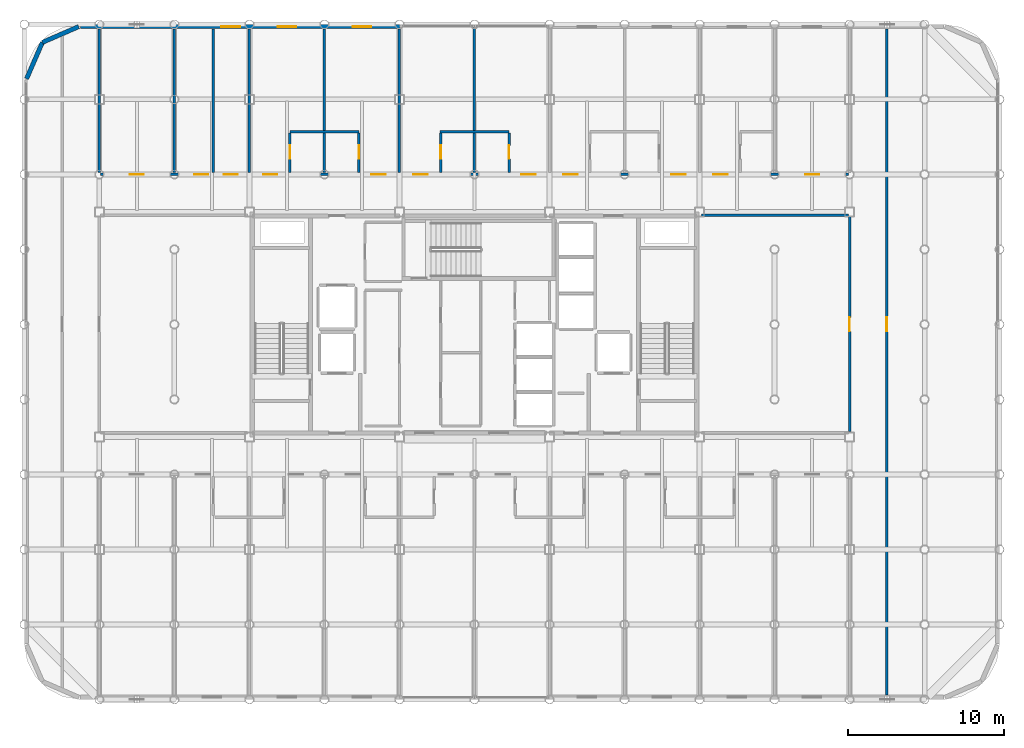
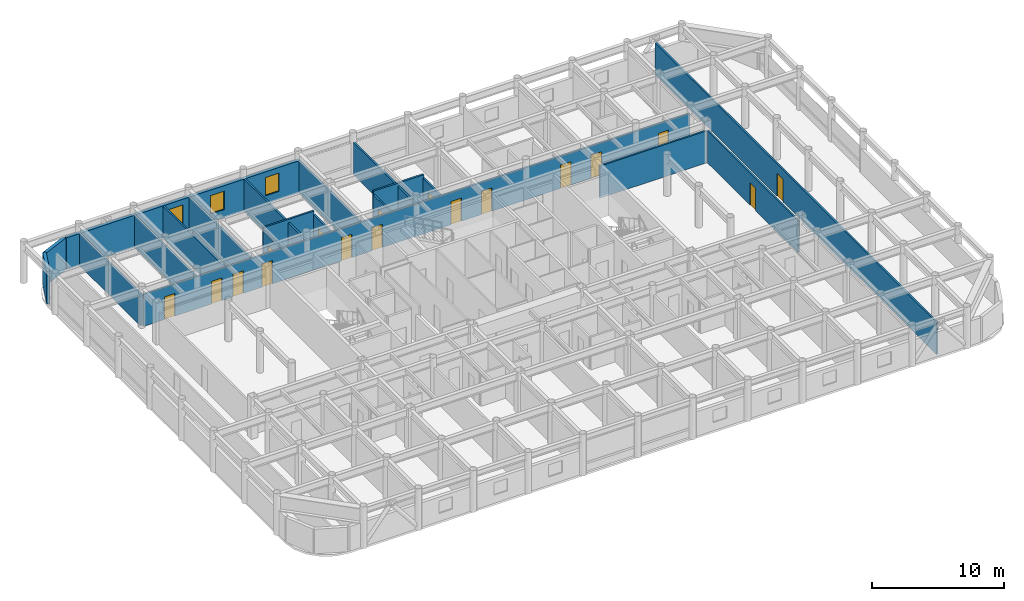
# One storey, part 20 of 22: 20 walls, 17 doors, 3 windows, 20 openings.
"""IFC4 building model written with IfcOpenShell, lengths in metres."""

from ifc_helpers import new_model, si_unit, direction, frame, frame_2d, origin, place, context, subcontext, project, spatial, rectangle, extrude, material, layer, layer_set, type_object, element, fill, save


model = new_model("IFC4")

# Units and contexts
model_context = context("Model", 3, precision=1e-05, world=origin(), true_north=direction((0.0, 1.0)))
body_context = subcontext(model_context, "Body", "Model", "MODEL_VIEW")
ifc_project = project(units=[si_unit("LENGTHUNIT", "METRE"), si_unit("AREAUNIT", "SQUARE_METRE"), si_unit("VOLUMEUNIT", "CUBIC_METRE"), si_unit("PLANEANGLEUNIT", "RADIAN"), si_unit("MASSUNIT", "GRAM", prefix="KILO")], contexts=[model_context])

# Site, building, storey
site_placement = place(None, origin())
site = spatial("IfcSite", under=ifc_project, at=site_placement, CompositionType="ELEMENT")
building_placement = place(site_placement, origin())
building = spatial("IfcBuilding", under=site, at=building_placement, Name="Kallvorn Hotel Tower", CompositionType="ELEMENT")
storey_placement = place(building_placement, frame((0.0, 0.0, 199.199951171875)))
storey = spatial("IfcBuildingStorey", under=building, at=storey_placement, Name="L49", CompositionType="ELEMENT", Elevation=199.199951171875)

# Wall, openings, doors
ifc_material_1 = material(Name="Fire-rated double-layer acoustic gypsum drywall EI 60")
ifc_layer_1 = layer(ifc_material_1, 0.159912109375)
ifc_layer_set_1 = layer_set([ifc_layer_1], Name="WL_DEMISE_160")
wall_type_1 = type_object("IfcWallType", Name="WL_DEMISE_160", PredefinedType="PARTITIONING", material=ifc_layer_set_1)
wall_1_placement = place(storey_placement, frame((-23.919921875, 9.60009765625, 0.0), z_axis=(0.0, 0.0, 1.0), x_axis=(1.0, 0.0, 0.0)))
wall_1 = element("IfcWall", 1, at=wall_1_placement, inside=storey, type_object=wall_type_1, Name="L49 Suite 4909 Standard Twin Room Partition", PredefinedType="PARTITIONING", context=body_context, shape_type="SweptSolid", body=[
    extrude(rectangle(XDim=47.83984375, YDim=0.159912109375, at=frame_2d((23.919921875, 0.0))), origin(), (0.0, 0.0, 1.0), 2.969970703125),
])
opening_1_placement = place(wall_1_placement, frame((1.8701171875, 0.0, 0.0)))
opening_1 = element("IfcOpeningElement", 2, at=opening_1_placement, cuts=wall_1, Name="Opening SVD1", PredefinedType="OPENING", context=body_context, shape_type="SweptSolid", body=[
    extrude(rectangle(XDim=0.89990234375, YDim=2.10009765625, at=frame_2d((0.449951171875, 1.050048828125))), frame((0.0, 0.094970703125, 0.0), z_axis=(0.0, -1.0, 0.0), x_axis=(1.0, 0.0, 0.0)), (0.0, 0.0, 1.0), 0.18994140625),
])
opening_2_placement = place(wall_1_placement, frame((45.070068359375, 0.0, 0.0)))
opening_2 = element("IfcOpeningElement", 3, at=opening_2_placement, cuts=wall_1, Name="Opening SVD1", PredefinedType="OPENING", context=body_context, shape_type="SweptSolid", body=[
    extrude(rectangle(XDim=0.89990234375, YDim=2.10009765625, at=frame_2d((0.449951171875, 1.050048828125))), frame((0.0, 0.094970703125, 0.0), z_axis=(0.0, -1.0, 0.0), x_axis=(1.0, 0.0, 0.0)), (0.0, 0.0, 1.0), 0.18994140625),
])
opening_3_placement = place(wall_1_placement, frame((5.97998046875, 0.0, 0.0)))
opening_3 = element("IfcOpeningElement", 4, at=opening_3_placement, cuts=wall_1, Name="Opening SVD1", PredefinedType="OPENING", context=body_context, shape_type="SweptSolid", body=[
    extrude(rectangle(XDim=0.89990234375, YDim=2.10009765625, at=frame_2d((0.449951171875, 1.050048828125))), frame((0.0, 0.094970703125, 0.0), z_axis=(0.0, -1.0, 0.0), x_axis=(1.0, 0.0, 0.0)), (0.0, 0.0, 1.0), 0.18994140625),
])
opening_4_placement = place(wall_1_placement, frame((7.8701171875, 0.0, 0.0)))
opening_4 = element("IfcOpeningElement", 5, at=opening_4_placement, cuts=wall_1, Name="Opening SVD1", PredefinedType="OPENING", context=body_context, shape_type="SweptSolid", body=[
    extrude(rectangle(XDim=0.89990234375, YDim=2.10009765625, at=frame_2d((0.449951171875, 1.050048828125))), frame((0.0, 0.094970703125, 0.0), z_axis=(0.0, -1.0, 0.0), x_axis=(1.0, 0.0, 0.0)), (0.0, 0.0, 1.0), 0.18994140625),
])
opening_5_placement = place(wall_1_placement, frame((10.39501953125, 0.0, 0.0)))
opening_5 = element("IfcOpeningElement", 6, at=opening_5_placement, cuts=wall_1, Name="Opening GD1", PredefinedType="OPENING", context=body_context, shape_type="SweptSolid", body=[
    extrude(rectangle(XDim=0.919921875, YDim=2.14990234375, at=frame_2d((0.4599609375, 1.074951171875))), frame((0.0, 0.094970703125, 0.0), z_axis=(0.0, -1.0, 0.0), x_axis=(1.0, 0.0, 0.0)), (0.0, 0.0, 1.0), 0.18994140625),
])
opening_6_placement = place(wall_1_placement, frame((17.324951171875, 0.0, 0.0)))
opening_6 = element("IfcOpeningElement", 7, at=opening_6_placement, cuts=wall_1, Name="Opening GD1", PredefinedType="OPENING", context=body_context, shape_type="SweptSolid", body=[
    extrude(rectangle(XDim=0.919921875, YDim=2.14990234375, at=frame_2d((0.4599609375, 1.074951171875))), frame((0.0, 0.094970703125, 0.0), z_axis=(0.0, -1.0, 0.0), x_axis=(1.0, 0.0, 0.0)), (0.0, 0.0, 1.0), 0.18994140625),
])
opening_7_placement = place(wall_1_placement, frame((19.9951171875, 0.0, 0.0)))
opening_7 = element("IfcOpeningElement", 8, at=opening_7_placement, cuts=wall_1, Name="Opening GD1", PredefinedType="OPENING", context=body_context, shape_type="SweptSolid", body=[
    extrude(rectangle(XDim=0.919921875, YDim=2.14990234375, at=frame_2d((0.4599609375, 1.074951171875))), frame((0.0, 0.094970703125, 0.0), z_axis=(0.0, -1.0, 0.0), x_axis=(1.0, 0.0, 0.0)), (0.0, 0.0, 1.0), 0.18994140625),
])
opening_8_placement = place(wall_1_placement, frame((26.925048828125, 0.0, 0.0)))
opening_8 = element("IfcOpeningElement", 9, at=opening_8_placement, cuts=wall_1, Name="Opening GD1", PredefinedType="OPENING", context=body_context, shape_type="SweptSolid", body=[
    extrude(rectangle(XDim=0.919921875, YDim=2.14990234375, at=frame_2d((0.4599609375, 1.074951171875))), frame((0.0, 0.094970703125, 0.0), z_axis=(0.0, -1.0, 0.0), x_axis=(1.0, 0.0, 0.0)), (0.0, 0.0, 1.0), 0.18994140625),
])
opening_9_placement = place(wall_1_placement, frame((29.594970703125, 0.0, 0.0)))
opening_9 = element("IfcOpeningElement", 10, at=opening_9_placement, cuts=wall_1, Name="Opening GD1", PredefinedType="OPENING", context=body_context, shape_type="SweptSolid", body=[
    extrude(rectangle(XDim=0.919921875, YDim=2.14990234375, at=frame_2d((0.4599609375, 1.074951171875))), frame((0.0, 0.094970703125, 0.0), z_axis=(0.0, -1.0, 0.0), x_axis=(1.0, 0.0, 0.0)), (0.0, 0.0, 1.0), 0.18994140625),
])
opening_10_placement = place(wall_1_placement, frame((36.52490234375, 0.0, 0.0)))
opening_10 = element("IfcOpeningElement", 11, at=opening_10_placement, cuts=wall_1, Name="Opening GD1", PredefinedType="OPENING", context=body_context, shape_type="SweptSolid", body=[
    extrude(rectangle(XDim=0.919921875, YDim=2.14990234375, at=frame_2d((0.4599609375, 1.074951171875))), frame((0.0, 0.094970703125, 0.0), z_axis=(0.0, -1.0, 0.0), x_axis=(1.0, 0.0, 0.0)), (0.0, 0.0, 1.0), 0.18994140625),
])
opening_11_placement = place(wall_1_placement, frame((39.195068359375, 0.0, 0.0)))
opening_11 = element("IfcOpeningElement", 12, at=opening_11_placement, cuts=wall_1, Name="Opening GD1", PredefinedType="OPENING", context=body_context, shape_type="SweptSolid", body=[
    extrude(rectangle(XDim=0.919921875, YDim=2.14990234375, at=frame_2d((0.4599609375, 1.074951171875))), frame((0.0, 0.094970703125, 0.0), z_axis=(0.0, -1.0, 0.0), x_axis=(1.0, 0.0, 0.0)), (0.0, 0.0, 1.0), 0.18994140625),
])
ifc_material_2 = material(Name="Solid-core walnut veneer fire-rated timber door leaf", Category="wood")
door_type_1 = type_object("IfcDoorType", Name="DR_GUEST_920x2150", OperationType="NOTDEFINED", PredefinedType="DOOR", material=ifc_material_2)
door_1_placement = place(opening_5_placement, origin())
door_1 = element("IfcDoor", 13, at=door_1_placement, inside=storey, type_object=door_type_1, Name="L49 Suite 4909 Standard Twin Room Door", OperationType="SINGLE_SWING_LEFT", OverallHeight=2.14990234375, OverallWidth=0.919921875, PredefinedType="DOOR", context=body_context, shape_type="SweptSolid", body=[
    extrude(rectangle(XDim=0.919921875, YDim=2.14990234375, at=frame_2d((0.4599609375, 1.074951171875))), frame((0.0, 0.02490234375, 0.0), z_axis=(0.0, -1.0, 0.0), x_axis=(1.0, 0.0, 0.0)), (0.0, 0.0, 1.0), 0.050048828125),
])
fill(opening_5, door_1)
door_2_placement = place(opening_6_placement, origin())
door_2 = element("IfcDoor", 14, at=door_2_placement, inside=storey, type_object=door_type_1, Name="L49 Suite 4910 Standard Twin Room Door", OperationType="SINGLE_SWING_LEFT", OverallHeight=2.14990234375, OverallWidth=0.919921875, PredefinedType="DOOR", context=body_context, shape_type="SweptSolid", body=[
    extrude(rectangle(XDim=0.919921875, YDim=2.14990234375, at=frame_2d((0.4599609375, 1.074951171875))), frame((0.0, 0.02490234375, 0.0), z_axis=(0.0, -1.0, 0.0), x_axis=(1.0, 0.0, 0.0)), (0.0, 0.0, 1.0), 0.050048828125),
])
fill(opening_6, door_2)
door_3_placement = place(opening_7_placement, origin())
door_3 = element("IfcDoor", 15, at=door_3_placement, inside=storey, type_object=door_type_1, Name="L49 Suite 4911 Standard Twin Room Door", OperationType="SINGLE_SWING_RIGHT", OverallHeight=2.14990234375, OverallWidth=0.919921875, PredefinedType="DOOR", context=body_context, shape_type="SweptSolid", body=[
    extrude(rectangle(XDim=0.919921875, YDim=2.14990234375, at=frame_2d((0.4599609375, 1.074951171875))), frame((0.0, 0.02490234375, 0.0), z_axis=(0.0, -1.0, 0.0), x_axis=(1.0, 0.0, 0.0)), (0.0, 0.0, 1.0), 0.050048828125),
])
fill(opening_7, door_3)
door_4_placement = place(opening_8_placement, origin())
door_4 = element("IfcDoor", 16, at=door_4_placement, inside=storey, type_object=door_type_1, Name="L49 Suite 4912 Standard Twin Room Door", OperationType="SINGLE_SWING_LEFT", OverallHeight=2.14990234375, OverallWidth=0.919921875, PredefinedType="DOOR", context=body_context, shape_type="SweptSolid", body=[
    extrude(rectangle(XDim=0.919921875, YDim=2.14990234375, at=frame_2d((0.4599609375, 1.074951171875))), frame((0.0, 0.02490234375, 0.0), z_axis=(0.0, -1.0, 0.0), x_axis=(1.0, 0.0, 0.0)), (0.0, 0.0, 1.0), 0.050048828125),
])
fill(opening_8, door_4)
door_5_placement = place(opening_9_placement, origin())
door_5 = element("IfcDoor", 17, at=door_5_placement, inside=storey, type_object=door_type_1, Name="L49 Suite 4913 Standard Twin Room Door", OperationType="SINGLE_SWING_RIGHT", OverallHeight=2.14990234375, OverallWidth=0.919921875, PredefinedType="DOOR", context=body_context, shape_type="SweptSolid", body=[
    extrude(rectangle(XDim=0.919921875, YDim=2.14990234375, at=frame_2d((0.4599609375, 1.074951171875))), frame((0.0, 0.02490234375, 0.0), z_axis=(0.0, -1.0, 0.0), x_axis=(1.0, 0.0, 0.0)), (0.0, 0.0, 1.0), 0.050048828125),
])
fill(opening_9, door_5)
door_6_placement = place(opening_10_placement, origin())
door_6 = element("IfcDoor", 18, at=door_6_placement, inside=storey, type_object=door_type_1, Name="L49 Suite 4914 Standard Twin Room Door", OperationType="SINGLE_SWING_LEFT", OverallHeight=2.14990234375, OverallWidth=0.919921875, PredefinedType="DOOR", context=body_context, shape_type="SweptSolid", body=[
    extrude(rectangle(XDim=0.919921875, YDim=2.14990234375, at=frame_2d((0.4599609375, 1.074951171875))), frame((0.0, 0.02490234375, 0.0), z_axis=(0.0, -1.0, 0.0), x_axis=(1.0, 0.0, 0.0)), (0.0, 0.0, 1.0), 0.050048828125),
])
fill(opening_10, door_6)
door_7_placement = place(opening_11_placement, origin())
door_7 = element("IfcDoor", 19, at=door_7_placement, inside=storey, type_object=door_type_1, Name="L49 Suite 4915 Standard Twin Room Door", OperationType="SINGLE_SWING_RIGHT", OverallHeight=2.14990234375, OverallWidth=0.919921875, PredefinedType="DOOR", context=body_context, shape_type="SweptSolid", body=[
    extrude(rectangle(XDim=0.919921875, YDim=2.14990234375, at=frame_2d((0.4599609375, 1.074951171875))), frame((0.0, 0.02490234375, 0.0), z_axis=(0.0, -1.0, 0.0), x_axis=(1.0, 0.0, 0.0)), (0.0, 0.0, 1.0), 0.050048828125),
])
fill(opening_11, door_7)
ifc_material_3 = material(Name="Galvanised painted steel fire-rated door assembly", Category="steel")
door_type_2 = type_object("IfcDoorType", Name="DR_SERV_900x2100", OperationType="NOTDEFINED", PredefinedType="DOOR", material=ifc_material_3)
door_8_placement = place(opening_1_placement, origin())
door_8 = element("IfcDoor", 20, at=door_8_placement, inside=storey, type_object=door_type_2, Name="L49 L49 High-Zone North-West Reading Salon Door", OperationType="SINGLE_SWING_LEFT", OverallHeight=2.10009765625, OverallWidth=0.89990234375, PredefinedType="DOOR", context=body_context, shape_type="SweptSolid", body=[
    extrude(rectangle(XDim=0.89990234375, YDim=2.10009765625, at=frame_2d((0.449951171875, 1.050048828125))), frame((0.0, 0.02490234375, 0.0), z_axis=(0.0, -1.0, 0.0), x_axis=(1.0, 0.0, 0.0)), (0.0, 0.0, 1.0), 0.050048828125),
])
fill(opening_1, door_8)
door_9_placement = place(opening_2_placement, origin())
door_9 = element("IfcDoor", 21, at=door_9_placement, inside=storey, type_object=door_type_2, Name="L49 L49 High-Zone North-East Pastry Bar Door", OperationType="SINGLE_SWING_LEFT", OverallHeight=2.10009765625, OverallWidth=0.89990234375, PredefinedType="DOOR", context=body_context, shape_type="SweptSolid", body=[
    extrude(rectangle(XDim=0.89990234375, YDim=2.10009765625, at=frame_2d((0.449951171875, 1.050048828125))), frame((0.0, 0.02490234375, 0.0), z_axis=(0.0, -1.0, 0.0), x_axis=(1.0, 0.0, 0.0)), (0.0, 0.0, 1.0), 0.050048828125),
])
fill(opening_2, door_9)
door_10_placement = place(opening_3_placement, origin())
door_10 = element("IfcDoor", 22, at=door_10_placement, inside=storey, type_object=door_type_2, Name="L49 Housekeeping and Linen Room Door", OperationType="SINGLE_SWING_LEFT", OverallHeight=2.10009765625, OverallWidth=0.89990234375, PredefinedType="DOOR", context=body_context, shape_type="SweptSolid", body=[
    extrude(rectangle(XDim=0.89990234375, YDim=2.10009765625, at=frame_2d((0.449951171875, 1.050048828125))), frame((0.0, 0.02490234375, 0.0), z_axis=(0.0, -1.0, 0.0), x_axis=(1.0, 0.0, 0.0)), (0.0, 0.0, 1.0), 0.050048828125),
])
fill(opening_3, door_10)
door_11_placement = place(opening_4_placement, origin())
door_11 = element("IfcDoor", 23, at=door_11_placement, inside=storey, type_object=door_type_2, Name="L49 Guest Tea and Refreshment Bar Door", OperationType="SINGLE_SWING_LEFT", OverallHeight=2.10009765625, OverallWidth=0.89990234375, PredefinedType="DOOR", context=body_context, shape_type="SweptSolid", body=[
    extrude(rectangle(XDim=0.89990234375, YDim=2.10009765625, at=frame_2d((0.449951171875, 1.050048828125))), frame((0.0, 0.02490234375, 0.0), z_axis=(0.0, -1.0, 0.0), x_axis=(1.0, 0.0, 0.0)), (0.0, 0.0, 1.0), 0.050048828125),
])
fill(opening_4, door_11)

# Walls
wall_2_placement = place(storey_placement, frame((-11.81005859375, 12.320068359375, 0.0), z_axis=(0.0, 0.0, 1.0), x_axis=(1.0, 0.0, 0.0)))
element("IfcWall", 24, at=wall_2_placement, inside=storey, type_object=wall_type_1, Name="L49 Suite 4909 Standard Twin Room Partition", PredefinedType="PARTITIONING", context=body_context, shape_type="SweptSolid", body=[
    extrude(rectangle(XDim=4.420166015625, YDim=0.159912109375, at=frame_2d((2.2099609375, 0.0))), origin(), (0.0, 0.0, 1.0), 3.27001953125),
])
wall_3_placement = place(storey_placement, frame((-2.2099609375, 12.320068359375, 0.0), z_axis=(0.0, 0.0, 1.0), x_axis=(1.0, 0.0, 0.0)))
element("IfcWall", 25, at=wall_3_placement, inside=storey, type_object=wall_type_1, Name="L49 Suite 4911 Standard Twin Room Partition", PredefinedType="PARTITIONING", context=body_context, shape_type="SweptSolid", body=[
    extrude(rectangle(XDim=4.419921875, YDim=0.159912109375, at=frame_2d((2.2099609375, 0.0))), origin(), (0.0, 0.0, 1.0), 3.27001953125),
])
wall_4_placement = place(storey_placement, frame((-14.39990234375, 9.719970703125, 0.0), z_axis=(0.0, 0.0, 1.0), x_axis=(0.0, 1.0, 0.0)))
element("IfcWall", 26, at=wall_4_placement, inside=storey, type_object=wall_type_1, Name="L49 Suite 4909 Standard Twin Room Partition", PredefinedType="PARTITIONING", context=body_context, shape_type="SweptSolid", body=[
    extrude(rectangle(XDim=9.18994140625, YDim=0.159912109375, at=frame_2d((4.594970703125, 0.0))), origin(), (0.0, 0.0, 1.0), 2.969970703125),
])

# Wall, opening, door
wall_5_placement = place(storey_placement, frame((-11.81005859375, 9.719970703125, 0.0), z_axis=(0.0, 0.0, 1.0), x_axis=(0.0, 1.0, 0.0)))
wall_5 = element("IfcWall", 27, at=wall_5_placement, inside=storey, type_object=wall_type_1, Name="L49 Suite 4909 Standard Twin Room Partition", PredefinedType="PARTITIONING", context=body_context, shape_type="SweptSolid", body=[
    extrude(rectangle(XDim=2.51513671875, YDim=0.159912109375, at=frame_2d((1.257568359375, 0.0))), origin(), (0.0, 0.0, 1.0), 2.969970703125),
])
opening_12_placement = place(wall_5_placement, frame((0.8701171875, 0.0, 0.0)))
opening_12 = element("IfcOpeningElement", 28, at=opening_12_placement, cuts=wall_5, Name="Opening BD-I", PredefinedType="OPENING", context=body_context, shape_type="SweptSolid", body=[
    extrude(rectangle(XDim=0.860107421875, YDim=2.10009765625, at=frame_2d((0.43017578125, 1.050048828125))), frame((0.0, 0.094970703125, 0.0), z_axis=(0.0, -1.0, 0.0), x_axis=(1.0, 0.0, 0.0)), (0.0, 0.0, 1.0), 0.18994140625),
])
ifc_material_4 = material(Name="Solid-core walnut veneer fire-rated timber door leaf", Category="wood")
door_type_3 = type_object("IfcDoorType", Name="DR_BATH_860x2100", OperationType="NOTDEFINED", PredefinedType="DOOR", material=ifc_material_4)
door_12_placement = place(opening_12_placement, origin())
door_12 = element("IfcDoor", 29, at=door_12_placement, inside=storey, type_object=door_type_3, Name="L49 Suite 4909 En-Suite Bathroom Door", OperationType="SINGLE_SWING_RIGHT", OverallHeight=2.10009765625, OverallWidth=0.860107421875, PredefinedType="DOOR", context=body_context, shape_type="SweptSolid", body=[
    extrude(rectangle(XDim=0.860107421875, YDim=2.10009765625, at=frame_2d((0.43017578125, 1.050048828125))), frame((0.0, 0.02490234375, 0.0), z_axis=(0.0, -1.0, 0.0), x_axis=(1.0, 0.0, 0.0)), (0.0, 0.0, 1.0), 0.050048828125),
])
fill(opening_12, door_12)

# Wall
wall_6_placement = place(storey_placement, frame((-9.60009765625, 9.719970703125, 0.0), z_axis=(0.0, 0.0, 1.0), x_axis=(0.0, 1.0, 0.0)))
element("IfcWall", 30, at=wall_6_placement, inside=storey, type_object=wall_type_1, Name="L49 Suite 4909 Standard Twin Room Partition", PredefinedType="PARTITIONING", context=body_context, shape_type="SweptSolid", body=[
    extrude(rectangle(XDim=9.18994140625, YDim=0.159912109375, at=frame_2d((4.594970703125, 0.0))), origin(), (0.0, 0.0, 1.0), 2.969970703125),
])

# Wall, opening, door
wall_7_placement = place(storey_placement, frame((-7.389892578125, 9.719970703125, 0.0), z_axis=(0.0, 0.0, 1.0), x_axis=(0.0, 1.0, 0.0)))
wall_7 = element("IfcWall", 31, at=wall_7_placement, inside=storey, type_object=wall_type_1, Name="L49 Suite 4910 Standard Twin Room Partition", PredefinedType="PARTITIONING", context=body_context, shape_type="SweptSolid", body=[
    extrude(rectangle(XDim=2.51513671875, YDim=0.159912109375, at=frame_2d((1.257568359375, 0.0))), origin(), (0.0, 0.0, 1.0), 2.969970703125),
])
opening_13_placement = place(wall_7_placement, frame((0.8701171875, 0.0, 0.0)))
opening_13 = element("IfcOpeningElement", 32, at=opening_13_placement, cuts=wall_7, Name="Opening BD-I", PredefinedType="OPENING", context=body_context, shape_type="SweptSolid", body=[
    extrude(rectangle(XDim=0.860107421875, YDim=2.10009765625, at=frame_2d((0.43017578125, 1.050048828125))), frame((0.0, 0.094970703125, 0.0), z_axis=(0.0, -1.0, 0.0), x_axis=(1.0, 0.0, 0.0)), (0.0, 0.0, 1.0), 0.18994140625),
])
door_13_placement = place(opening_13_placement, origin())
door_13 = element("IfcDoor", 33, at=door_13_placement, inside=storey, type_object=door_type_3, Name="L49 Suite 4910 En-Suite Bathroom Door", OperationType="SINGLE_SWING_LEFT", OverallHeight=2.10009765625, OverallWidth=0.860107421875, PredefinedType="DOOR", context=body_context, shape_type="SweptSolid", body=[
    extrude(rectangle(XDim=0.860107421875, YDim=2.10009765625, at=frame_2d((0.43017578125, 1.050048828125))), frame((0.0, 0.02490234375, 0.0), z_axis=(0.0, -1.0, 0.0), x_axis=(1.0, 0.0, 0.0)), (0.0, 0.0, 1.0), 0.050048828125),
])
fill(opening_13, door_13)

# Wall
wall_8_placement = place(storey_placement, frame((-4.800048828125, 9.719970703125, 0.0), z_axis=(0.0, 0.0, 1.0), x_axis=(0.0, 1.0, 0.0)))
element("IfcWall", 34, at=wall_8_placement, inside=storey, type_object=wall_type_1, Name="L49 Suite 4910 Standard Twin Room Partition", PredefinedType="PARTITIONING", context=body_context, shape_type="SweptSolid", body=[
    extrude(rectangle(XDim=9.18994140625, YDim=0.159912109375, at=frame_2d((4.594970703125, 0.0))), origin(), (0.0, 0.0, 1.0), 2.969970703125),
])

# Wall, opening, door
wall_9_placement = place(storey_placement, frame((-2.155029296875, 9.719970703125, 0.0), z_axis=(0.0, 0.0, 1.0), x_axis=(0.0, 1.0, 0.0)))
wall_9 = element("IfcWall", 35, at=wall_9_placement, inside=storey, type_object=wall_type_1, Name="L49 Suite 4911 Standard Twin Room Partition", PredefinedType="PARTITIONING", context=body_context, shape_type="SweptSolid", body=[
    extrude(rectangle(XDim=2.51513671875, YDim=0.159912109375, at=frame_2d((1.257568359375, 0.0))), origin(), (0.0, 0.0, 1.0), 2.969970703125),
])
opening_14_placement = place(wall_9_placement, frame((0.8701171875, 0.0, 0.0)))
opening_14 = element("IfcOpeningElement", 36, at=opening_14_placement, cuts=wall_9, Name="Opening BD-I", PredefinedType="OPENING", context=body_context, shape_type="SweptSolid", body=[
    extrude(rectangle(XDim=0.860107421875, YDim=2.10009765625, at=frame_2d((0.43017578125, 1.050048828125))), frame((0.0, 0.094970703125, 0.0), z_axis=(0.0, -1.0, 0.0), x_axis=(1.0, 0.0, 0.0)), (0.0, 0.0, 1.0), 0.18994140625),
])
door_14_placement = place(opening_14_placement, origin())
door_14 = element("IfcDoor", 37, at=door_14_placement, inside=storey, type_object=door_type_3, Name="L49 Suite 4911 En-Suite Bathroom Door", OperationType="SINGLE_SWING_RIGHT", OverallHeight=2.10009765625, OverallWidth=0.860107421875, PredefinedType="DOOR", context=body_context, shape_type="SweptSolid", body=[
    extrude(rectangle(XDim=0.860107421875, YDim=2.10009765625, at=frame_2d((0.43017578125, 1.050048828125))), frame((0.0, 0.02490234375, 0.0), z_axis=(0.0, -1.0, 0.0), x_axis=(1.0, 0.0, 0.0)), (0.0, 0.0, 1.0), 0.050048828125),
])
fill(opening_14, door_14)

# Wall
wall_10_placement = place(storey_placement, frame((0.0, 9.719970703125, 0.0), z_axis=(0.0, 0.0, 1.0), x_axis=(0.0, 1.0, 0.0)))
element("IfcWall", 38, at=wall_10_placement, inside=storey, type_object=wall_type_1, Name="L49 Suite 4911 Standard Twin Room Partition", PredefinedType="PARTITIONING", context=body_context, shape_type="SweptSolid", body=[
    extrude(rectangle(XDim=9.275146484375, YDim=0.159912109375, at=frame_2d((4.6376953125, 0.0))), origin(), (0.0, 0.0, 1.0), 2.969970703125),
])

# Wall, opening, door
wall_11_placement = place(storey_placement, frame((2.2099609375, 9.719970703125, 0.0), z_axis=(0.0, 0.0, 1.0), x_axis=(0.0, 1.0, 0.0)))
wall_11 = element("IfcWall", 39, at=wall_11_placement, inside=storey, type_object=wall_type_1, Name="L49 Suite 4912 Standard Twin Room Partition", PredefinedType="PARTITIONING", context=body_context, shape_type="SweptSolid", body=[
    extrude(rectangle(XDim=2.51513671875, YDim=0.159912109375, at=frame_2d((1.257568359375, 0.0))), origin(), (0.0, 0.0, 1.0), 2.969970703125),
])
opening_15_placement = place(wall_11_placement, frame((0.8701171875, 0.0, 0.0)))
opening_15 = element("IfcOpeningElement", 40, at=opening_15_placement, cuts=wall_11, Name="Opening BD-I", PredefinedType="OPENING", context=body_context, shape_type="SweptSolid", body=[
    extrude(rectangle(XDim=0.860107421875, YDim=2.10009765625, at=frame_2d((0.43017578125, 1.050048828125))), frame((0.0, 0.094970703125, 0.0), z_axis=(0.0, -1.0, 0.0), x_axis=(1.0, 0.0, 0.0)), (0.0, 0.0, 1.0), 0.18994140625),
])
door_15_placement = place(opening_15_placement, origin())
door_15 = element("IfcDoor", 41, at=door_15_placement, inside=storey, type_object=door_type_3, Name="L49 Suite 4912 En-Suite Bathroom Door", OperationType="SINGLE_SWING_LEFT", OverallHeight=2.10009765625, OverallWidth=0.860107421875, PredefinedType="DOOR", context=body_context, shape_type="SweptSolid", body=[
    extrude(rectangle(XDim=0.860107421875, YDim=2.10009765625, at=frame_2d((0.43017578125, 1.050048828125))), frame((0.0, 0.02490234375, 0.0), z_axis=(0.0, -1.0, 0.0), x_axis=(1.0, 0.0, 0.0)), (0.0, 0.0, 1.0), 0.050048828125),
])
fill(opening_15, door_15)

# Walls
ifc_material_5 = material(Name="Precast basalt-clad insulated concrete wall C40/50", Category="masonry")
ifc_layer_2 = layer(ifc_material_5, 0.280029296875)
ifc_layer_set_2 = layer_set([ifc_layer_2], Name="WL_EXT_LOGGIA_280")
wall_type_2 = type_object("IfcWallType", Name="WL_EXT_LOGGIA_280", PredefinedType="SOLIDWALL", material=ifc_layer_set_2)
wall_12_placement = place(storey_placement, frame((-25.32080078125, 19.057861328125, 0.0), z_axis=(0.0, 0.0, 1.0), x_axis=(-0.917060872934, -0.398747232384, 0.0)))
element("IfcWall", 42, at=wall_12_placement, inside=storey, type_object=wall_type_2, Name="L49 Rounded Corner Exterior Wall NW1", PredefinedType="SOLIDWALL", context=body_context, shape_type="SweptSolid", body=[
    extrude(rectangle(XDim=2.5361328125, YDim=0.280029296875, at=frame_2d((1.26806640625, 0.0))), origin(), (0.0, 0.0, 1.0), 2.969970703125),
])
wall_13_placement = place(storey_placement, frame((-27.646484375, 18.046630859375, 0.0), z_axis=(0.0, 0.0, 1.0), x_axis=(-0.398792985289, -0.917040977756, 0.0)))
element("IfcWall", 43, at=wall_13_placement, inside=storey, type_object=wall_type_2, Name="L49 Rounded Corner Exterior Wall NW2", PredefinedType="SOLIDWALL", context=body_context, shape_type="SweptSolid", body=[
    extrude(rectangle(XDim=2.536376953125, YDim=0.280029296875, at=frame_2d((1.26806640625, 0.0))), origin(), (0.0, 0.0, 1.0), 3.02001953125),
])

# Wall, openings, windows
wall_14_placement = place(storey_placement, frame((-25.199951171875, 19.06005859375, 0.0), z_axis=(0.0, 0.0, 1.0), x_axis=(1.0, 0.0, 0.0)))
wall_14 = element("IfcWall", 44, at=wall_14_placement, inside=storey, type_object=wall_type_2, Name="L49 Exterior Envelope Wall EW-L49-NW", PredefinedType="SOLIDWALL", context=body_context, shape_type="SweptSolid", body=[
    extrude(rectangle(XDim=20.449951171875, YDim=0.280029296875, at=frame_2d((10.22509765625, 0.0))), origin(), (0.0, 0.0, 1.0), 2.969970703125),
])
opening_16_placement = place(wall_14_placement, frame((9.0, 0.0, 0.75)))
opening_16 = element("IfcOpeningElement", 45, at=opening_16_placement, cuts=wall_14, Name="Opening W06", PredefinedType="OPENING", context=body_context, shape_type="SweptSolid", body=[
    extrude(rectangle(XDim=1.199951171875, YDim=1.699951171875, at=frame_2d((0.60009765625, 0.85009765625))), frame((0.0, 0.155029296875, 0.0), z_axis=(0.0, -1.0, 0.0), x_axis=(1.0, 0.0, 0.0)), (0.0, 0.0, 1.0), 0.31005859375),
])
opening_17_placement = place(wall_14_placement, frame((12.60009765625, 0.0, 0.75)))
opening_17 = element("IfcOpeningElement", 46, at=opening_17_placement, cuts=wall_14, Name="Opening W06", PredefinedType="OPENING", context=body_context, shape_type="SweptSolid", body=[
    extrude(rectangle(XDim=1.199951171875, YDim=1.699951171875, at=frame_2d((0.60009765625, 0.85009765625))), frame((0.0, 0.155029296875, 0.0), z_axis=(0.0, -1.0, 0.0), x_axis=(1.0, 0.0, 0.0)), (0.0, 0.0, 1.0), 0.31005859375),
])
opening_18_placement = place(wall_14_placement, frame((17.39990234375, 0.0, 0.75)))
opening_18 = element("IfcOpeningElement", 47, at=opening_18_placement, cuts=wall_14, Name="Opening W06", PredefinedType="OPENING", context=body_context, shape_type="SweptSolid", body=[
    extrude(rectangle(XDim=1.199951171875, YDim=1.699951171875, at=frame_2d((0.60009765625, 0.85009765625))), frame((0.0, 0.155029296875, 0.0), z_axis=(0.0, -1.0, 0.0), x_axis=(1.0, 0.0, 0.0)), (0.0, 0.0, 1.0), 0.31005859375),
])
ifc_material_6 = material(Name="Triple-glazed low-e acoustic solar-control dark glass", Category="glass")
window_type = type_object("IfcWindowType", Name="WN_HTL_1200x1700", PartitioningType="SINGLE_PANEL", PredefinedType="WINDOW", material=ifc_material_6)
window_1_placement = place(opening_16_placement, origin())
window_1 = element("IfcWindow", 48, at=window_1_placement, inside=storey, type_object=window_type, Name="L49 Guestroom Exterior Window 09", OverallHeight=1.699951171875, OverallWidth=1.199951171875, PartitioningType="SINGLE_PANEL", PredefinedType="WINDOW", context=body_context, shape_type="SweptSolid", body=[
    extrude(rectangle(XDim=1.199951171875, YDim=1.699951171875, at=frame_2d((0.60009765625, 0.85009765625))), frame((0.0, 0.030029296875, 0.0), z_axis=(0.0, -1.0, 0.0), x_axis=(1.0, 0.0, 0.0)), (0.0, 0.0, 1.0), 0.06005859375),
])
fill(opening_16, window_1)
window_2_placement = place(opening_17_placement, origin())
window_2 = element("IfcWindow", 49, at=window_2_placement, inside=storey, type_object=window_type, Name="L49 Guestroom Exterior Window 10", OverallHeight=1.699951171875, OverallWidth=1.199951171875, PartitioningType="SINGLE_PANEL", PredefinedType="WINDOW", context=body_context, shape_type="SweptSolid", body=[
    extrude(rectangle(XDim=1.199951171875, YDim=1.699951171875, at=frame_2d((0.60009765625, 0.85009765625))), frame((0.0, 0.030029296875, 0.0), z_axis=(0.0, -1.0, 0.0), x_axis=(1.0, 0.0, 0.0)), (0.0, 0.0, 1.0), 0.06005859375),
])
fill(opening_17, window_2)
window_3_placement = place(opening_18_placement, origin())
window_3 = element("IfcWindow", 50, at=window_3_placement, inside=storey, type_object=window_type, Name="L49 Guestroom Exterior Window 11", OverallHeight=1.699951171875, OverallWidth=1.199951171875, PartitioningType="SINGLE_PANEL", PredefinedType="WINDOW", context=body_context, shape_type="SweptSolid", body=[
    extrude(rectangle(XDim=1.199951171875, YDim=1.699951171875, at=frame_2d((0.60009765625, 0.85009765625))), frame((0.0, 0.030029296875, 0.0), z_axis=(0.0, -1.0, 0.0), x_axis=(1.0, 0.0, 0.0)), (0.0, 0.0, 1.0), 0.06005859375),
])
fill(opening_18, window_3)

# Walls
ifc_material_7 = material(Name="Fire-rated double-layer acoustic gypsum drywall EI 60")
ifc_layer_3 = layer(ifc_material_7, 0.14990234375)
ifc_layer_set_3 = layer_set([ifc_layer_3], Name="WL_PART_150")
wall_type_3 = type_object("IfcWallType", Name="WL_PART_150", PredefinedType="PARTITIONING", material=ifc_layer_set_3)
wall_15_placement = place(storey_placement, frame((14.52001953125, 6.97998046875, 0.0), z_axis=(0.0, 0.0, 1.0), x_axis=(1.0, 0.0, 0.0)))
element("IfcWall", 51, at=wall_15_placement, inside=storey, type_object=wall_type_3, Name="L49 L49 High-Zone Inner East Club Gallery Partition", PredefinedType="PARTITIONING", context=body_context, shape_type="SweptSolid", body=[
    extrude(rectangle(XDim=9.39990234375, YDim=0.14990234375, at=frame_2d((4.699951171875, 0.0))), origin(), (0.0, 0.0, 1.0), 2.969970703125),
])
for number, where, z_axis, x_axis, name in (
    (52, (-24.0, 9.719970703125, 0.0), (0.0, 0.0, 1.0), (0.0, 1.0, 0.0), "L49 L49 High-Zone North-West Reading Salon Partition"),
    (53, (-19.199951171875, 9.719970703125, 0.0), (0.0, 0.0, 1.0), (0.0, 1.0, 0.0), "L49 Housekeeping and Linen Room Partition"),
    (54, (-16.705078125, 9.719970703125, 0.0), (0.0, 0.0, 1.0), (0.0, 1.0, 0.0), "L49 Guest Tea and Refreshment Bar Partition"),
):
    element("IfcWall", number, at=place(storey_placement, frame(where, z_axis=z_axis, x_axis=x_axis)), inside=storey, type_object=wall_type_3, Name=name, PredefinedType="PARTITIONING", context=body_context, shape_type="SweptSolid", body=[
        extrude(rectangle(XDim=9.18994140625, YDim=0.14990234375, at=frame_2d((4.594970703125, 0.0))), origin(), (0.0, 0.0, 1.0), 2.969970703125),
    ])

# Wall, opening, door
wall_16_placement = place(storey_placement, frame((24.0, -6.8349609375, 0.0), z_axis=(0.0, 0.0, 1.0), x_axis=(0.0, 1.0, 0.0)))
wall_16 = element("IfcWall", 55, at=wall_16_placement, inside=storey, type_object=wall_type_3, Name="L49 L49 High-Zone Inner East Club Gallery Partition", PredefinedType="PARTITIONING", context=body_context, shape_type="SweptSolid", body=[
    extrude(rectangle(XDim=13.72998046875, YDim=0.14990234375, at=frame_2d((6.864990234375, 0.0))), origin(), (0.0, 0.0, 1.0), 2.969970703125),
])
opening_19_placement = place(wall_16_placement, frame((6.385009765625, 0.0, 0.0)))
opening_19 = element("IfcOpeningElement", 56, at=opening_19_placement, cuts=wall_16, Name="Opening SVD1", PredefinedType="OPENING", context=body_context, shape_type="SweptSolid", body=[
    extrude(rectangle(XDim=0.89990234375, YDim=2.10009765625, at=frame_2d((0.449951171875, 1.050048828125))), frame((0.0, 0.08984375, 0.0), z_axis=(0.0, -1.0, 0.0), x_axis=(1.0, 0.0, 0.0)), (0.0, 0.0, 1.0), 0.179931640625),
])
door_16_placement = place(opening_19_placement, origin())
door_16 = element("IfcDoor", 57, at=door_16_placement, inside=storey, type_object=door_type_2, Name="L49 L49 High-Zone Inner East Club Gallery Door", OperationType="SINGLE_SWING_RIGHT", OverallHeight=2.10009765625, OverallWidth=0.89990234375, PredefinedType="DOOR", context=body_context, shape_type="SweptSolid", body=[
    extrude(rectangle(XDim=0.89990234375, YDim=2.10009765625, at=frame_2d((0.449951171875, 1.050048828125))), frame((0.0, 0.02490234375, 0.0), z_axis=(0.0, -1.0, 0.0), x_axis=(1.0, 0.0, 0.0)), (0.0, 0.0, 1.0), 0.050048828125),
])
fill(opening_19, door_16)

wall_17_placement = place(storey_placement, frame((26.3798828125, -23.7099609375, 0.0), z_axis=(0.0, 0.0, 1.0), x_axis=(0.0, 1.0, 0.0)))
wall_17 = element("IfcWall", 58, at=wall_17_placement, inside=storey, type_object=wall_type_3, Name="L49 L49 Outer East Sky Observatory Salon Partition", PredefinedType="PARTITIONING", context=body_context, shape_type="SweptSolid", body=[
    extrude(rectangle(XDim=42.619873046875, YDim=0.14990234375, at=frame_2d((21.31005859375, 0.0))), origin(), (0.0, 0.0, 1.0), 2.969970703125),
])
opening_20_placement = place(wall_17_placement, frame((23.260009765625, 0.0, 0.0)))
opening_20 = element("IfcOpeningElement", 59, at=opening_20_placement, cuts=wall_17, Name="Opening SVD1", PredefinedType="OPENING", context=body_context, shape_type="SweptSolid", body=[
    extrude(rectangle(XDim=0.89990234375, YDim=2.10009765625, at=frame_2d((0.449951171875, 1.050048828125))), frame((0.0, 0.08984375, 0.0), z_axis=(0.0, -1.0, 0.0), x_axis=(1.0, 0.0, 0.0)), (0.0, 0.0, 1.0), 0.179931640625),
])
door_17_placement = place(opening_20_placement, origin())
door_17 = element("IfcDoor", 60, at=door_17_placement, inside=storey, type_object=door_type_2, Name="L49 L49 Outer East Sky Observatory Salon Door", OperationType="SINGLE_SWING_LEFT", OverallHeight=2.10009765625, OverallWidth=0.89990234375, PredefinedType="DOOR", context=body_context, shape_type="SweptSolid", body=[
    extrude(rectangle(XDim=0.89990234375, YDim=2.10009765625, at=frame_2d((0.449951171875, 1.050048828125))), frame((0.0, 0.02490234375, 0.0), z_axis=(0.0, -1.0, 0.0), x_axis=(1.0, 0.0, 0.0)), (0.0, 0.0, 1.0), 0.050048828125),
])
fill(opening_20, door_17)

save(model, "model.ifc")
